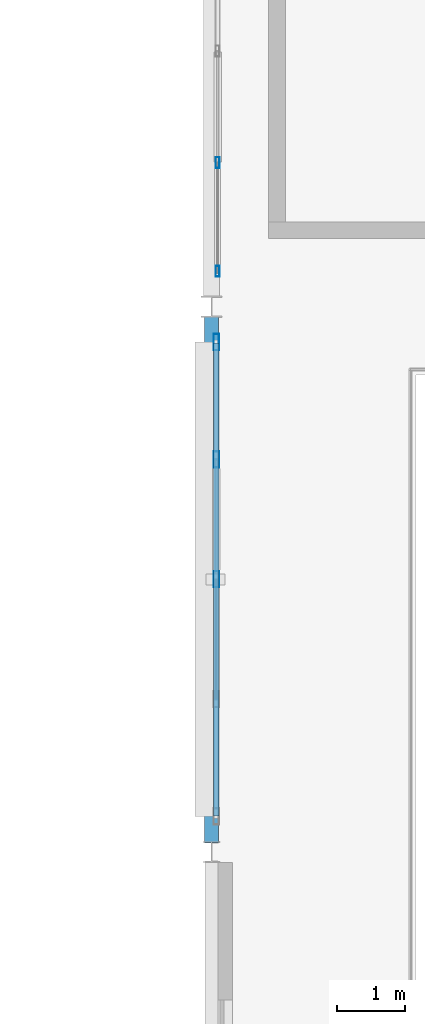
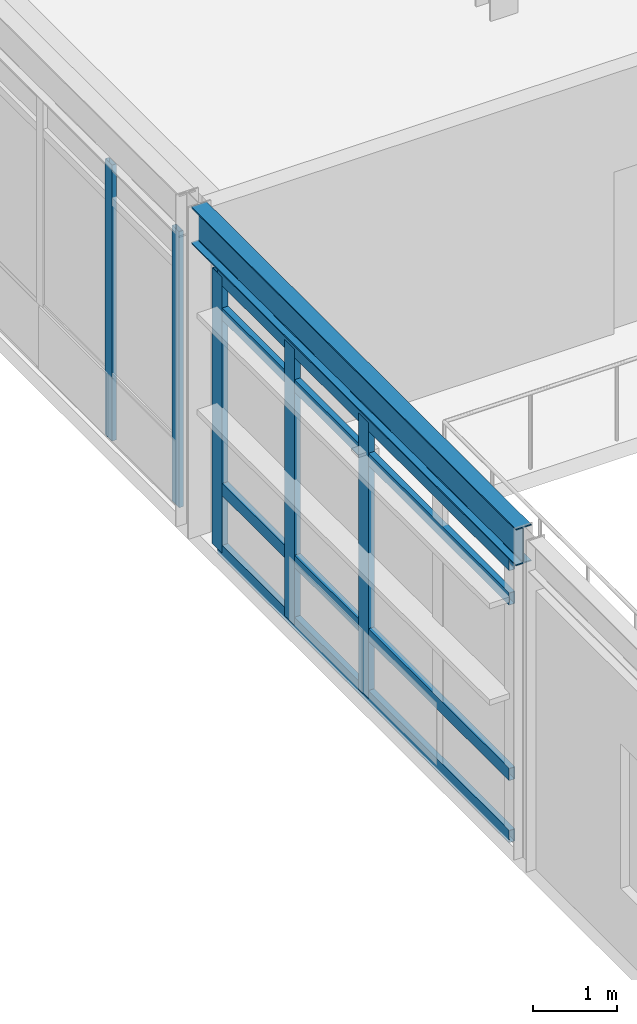
# One storey, part 25 of 56: 9 members, 1 beam, 2 elements without a shape of their own.
"""IFC4 building model written with IfcOpenShell, lengths in metres."""

from ifc_helpers import new_model, si_unit, direction, frame, origin, origin_2d, place, context, subcontext, project, spatial, hollow_rectangle, i_section, extrude, material, material_profile, profile_set, type_object, element, aggregate, save


model = new_model("IFC4")

# Units and contexts
model_context = context("Model", 3, precision=1e-05, world=origin(), true_north=direction((0.0, 1.0)))
body_context = subcontext(model_context, "Body", "Model", "MODEL_VIEW")
ifc_project = project(units=[si_unit("LENGTHUNIT", "METRE"), si_unit("AREAUNIT", "SQUARE_METRE"), si_unit("VOLUMEUNIT", "CUBIC_METRE"), si_unit("PLANEANGLEUNIT", "RADIAN"), si_unit("MASSUNIT", "GRAM", prefix="KILO"), si_unit("THERMODYNAMICTEMPERATUREUNIT", "KELVIN"), si_unit("POWERUNIT", "WATT")], contexts=[model_context])

# Site, building, storey
site_placement = place(None, origin())
site = spatial("IfcSite", under=ifc_project, at=site_placement, CompositionType="ELEMENT")
building_placement = place(site_placement, origin())
building = spatial("IfcBuilding", under=site, at=building_placement, Name="Tepalcoro Natatorium and Aquatics Centre", CompositionType="ELEMENT")
storey_placement = place(building_placement, frame((0.0, 0.0, 14.800048828125)))
storey = spatial("IfcBuildingStorey", under=building, at=storey_placement, Name="L03", CompositionType="ELEMENT", Elevation=14.800048828125)

# Curtain wall, members
ifc_material_1 = material(Name="Bronze-Anodised Extruded Aluminium Alloy EN AW-6063 T6", Category="aluminium")
curtain_wall_type_1 = type_object("IfcCurtainWallType", Name="CW_V1_PLINTH", PredefinedType="USERDEFINED", material=ifc_material_1)
curtain_wall_1_placement = place(storey_placement, origin())
curtain_wall_1 = element("IfcCurtainWall", 1, at=curtain_wall_1_placement, inside=storey, type_object=curtain_wall_type_1, Name="V2 L03 W Unitised Curtain Wall Bay 6", ObjectType="UNITISED STOREFRONT", PredefinedType="USERDEFINED")
ifc_material_profile_1 = material_profile(ifc_material_1, hollow_rectangle(XDim=0.06005859375, YDim=0.159912109375, WallThickness=0.00390625, at=origin_2d()), Name="AL60X160X4")
ifc_profile_set_1 = profile_set([ifc_material_profile_1], Name="Bronze-Anodised Extruded Aluminium Alloy EN AW-6063 T6")
member_type_1 = type_object("IfcMemberType", Name="CW_MUL_60x160", PredefinedType="MULLION", material=ifc_profile_set_1)
member_1_placement = place(storey_placement, frame((142.090087890625, 44.52001953125, 0.02001953125), z_axis=(0.0, 0.0, 1.0), x_axis=(1.0, 0.0, 0.0)))
member_1 = element("IfcMember", 2, at=member_1_placement, type_object=member_type_1, Name="CW_V1_PLINTH Curtain Wall Mullion", PredefinedType="MULLION", context=body_context, shape_type="SweptSolid", body=[
    extrude(hollow_rectangle(XDim=0.06005859375, YDim=0.159912109375, WallThickness=0.00390625, at=origin_2d()), origin(), (0.0, 0.0, 1.0), 4.010009765625),
])
member_2_placement = place(storey_placement, frame((142.090087890625, 46.114990234375, 0.02001953125), z_axis=(0.0, 0.0, 1.0), x_axis=(1.0, 0.0, 0.0)))
member_2 = element("IfcMember", 3, at=member_2_placement, type_object=member_type_1, Name="CW_V1_PLINTH Curtain Wall Mullion", PredefinedType="MULLION", context=body_context, shape_type="SweptSolid", body=[
    extrude(hollow_rectangle(XDim=0.06005859375, YDim=0.159912109375, WallThickness=0.00390625, at=origin_2d()), origin(), (0.0, 0.0, 1.0), 4.010009765625),
])
aggregate(curtain_wall_1, [member_1, member_2])

curtain_wall_type_2 = type_object("IfcCurtainWallType", Name="CW_LEAN_T2_EW", PredefinedType="USERDEFINED", material=ifc_material_1)
curtain_wall_2_placement = place(storey_placement, origin())
curtain_wall_2 = element("IfcCurtainWall", 4, at=curtain_wall_2_placement, inside=storey, type_object=curtain_wall_type_2, Name="V2 L03 W Unitised Curtain Wall Bay 5", ObjectType="FACETED SOLAR GLAZING", PredefinedType="USERDEFINED")
ifc_material_profile_2 = material_profile(ifc_material_1, hollow_rectangle(XDim=0.080078125, YDim=0.239990234375, WallThickness=0.0048828125, at=origin_2d()), Name="AL80X240X5")
ifc_profile_set_2 = profile_set([ifc_material_profile_2], Name="Bronze-Anodised Extruded Aluminium Alloy EN AW-6063 T6")
member_type_2 = type_object("IfcMemberType", Name="CW_MUL_80x240", PredefinedType="MULLION", material=ifc_profile_set_2)
member_3_placement = place(storey_placement, frame((142.0712890625, 40.0, 0.02001953125), z_axis=(0.0, 0.0, 1.0), x_axis=(1.0, 0.0, 0.0)))
member_3 = element("IfcMember", 5, at=member_3_placement, type_object=member_type_2, Name="CW_LEAN_T2_EW Curtain Wall Mullion", PredefinedType="MULLION", context=body_context, shape_type="SweptSolid", body=[
    extrude(hollow_rectangle(XDim=0.080078125, YDim=0.239990234375, WallThickness=0.0048828125, at=origin_2d()), origin(), (0.0, 0.0, 1.0), 4.010009765625),
])
member_4_placement = place(storey_placement, frame((142.0712890625, 41.760009765625, 0.02001953125), z_axis=(0.0, 0.0, 1.0), x_axis=(1.0, 0.0, 0.0)))
member_4 = element("IfcMember", 6, at=member_4_placement, type_object=member_type_2, Name="CW_LEAN_T2_EW Curtain Wall Mullion", PredefinedType="MULLION", context=body_context, shape_type="SweptSolid", body=[
    extrude(hollow_rectangle(XDim=0.080078125, YDim=0.239990234375, WallThickness=0.0048828125, at=origin_2d()), origin(), (0.0, 0.0, 1.0), 4.010009765625),
])
member_5_placement = place(storey_placement, frame((142.0712890625, 43.47998046875, 0.02001953125), z_axis=(0.0, 0.0, 1.0), x_axis=(1.0, 0.0, 0.0)))
member_5 = element("IfcMember", 7, at=member_5_placement, type_object=member_type_2, Name="CW_LEAN_T2_EW Curtain Wall Mullion", PredefinedType="MULLION", context=body_context, shape_type="SweptSolid", body=[
    extrude(hollow_rectangle(XDim=0.080078125, YDim=0.239990234375, WallThickness=0.0048828125, at=origin_2d()), origin(), (0.0, 0.0, 1.0), 4.010009765625),
])
ifc_material_profile_3 = material_profile(ifc_material_1, hollow_rectangle(XDim=0.080078125, YDim=0.179931640625, WallThickness=0.0048828125, at=origin_2d()), Name="AL80X180X5")
ifc_profile_set_3 = profile_set([ifc_material_profile_3], Name="Bronze-Anodised Extruded Aluminium Alloy EN AW-6063 T6")
member_type_3 = type_object("IfcMemberType", Name="CW_TRN_80x180", PredefinedType="USERDEFINED", material=ifc_profile_set_3)
member_6_placement = place(storey_placement, frame((142.0712890625, 36.530029296875, 0.050048828125), z_axis=(0.0, 1.0, 0.0), x_axis=(-1.0, 0.0, 0.0)))
member_6 = element("IfcMember", 8, at=member_6_placement, type_object=member_type_3, Name="CW_LEAN_T2_EW Curtain Wall Transom", ObjectType="TRANSOM", PredefinedType="USERDEFINED", context=body_context, shape_type="SweptSolid", body=[
    extrude(hollow_rectangle(XDim=0.080078125, YDim=0.179931640625, WallThickness=0.0048828125, at=origin_2d()), origin(), (0.0, 0.0, 1.0), 6.93994140625),
])
member_7_placement = place(storey_placement, frame((142.0712890625, 36.530029296875, 0.949951171875), z_axis=(0.0, 1.0, 0.0), x_axis=(-1.0, 0.0, 0.0)))
member_7 = element("IfcMember", 9, at=member_7_placement, type_object=member_type_3, Name="CW_LEAN_T2_EW Curtain Wall Transom", ObjectType="TRANSOM", PredefinedType="USERDEFINED", context=body_context, shape_type="SweptSolid", body=[
    extrude(hollow_rectangle(XDim=0.080078125, YDim=0.179931640625, WallThickness=0.0048828125, at=origin_2d()), origin(), (0.0, 0.0, 1.0), 6.93994140625),
])
member_8_placement = place(storey_placement, frame((142.0712890625, 36.530029296875, 3.5), z_axis=(0.0, 1.0, 0.0), x_axis=(-1.0, 0.0, 0.0)))
member_8 = element("IfcMember", 10, at=member_8_placement, type_object=member_type_3, Name="CW_LEAN_T2_EW Curtain Wall Transom", ObjectType="TRANSOM", PredefinedType="USERDEFINED", context=body_context, shape_type="SweptSolid", body=[
    extrude(hollow_rectangle(XDim=0.080078125, YDim=0.179931640625, WallThickness=0.0048828125, at=origin_2d()), origin(), (0.0, 0.0, 1.0), 6.93994140625),
])
member_9_placement = place(storey_placement, frame((142.0712890625, 36.530029296875, 4.0), z_axis=(0.0, 1.0, 0.0), x_axis=(-1.0, 0.0, 0.0)))
member_9 = element("IfcMember", 11, at=member_9_placement, type_object=member_type_3, Name="CW_LEAN_T2_EW Curtain Wall Transom", ObjectType="TRANSOM", PredefinedType="USERDEFINED", context=body_context, shape_type="SweptSolid", body=[
    extrude(hollow_rectangle(XDim=0.080078125, YDim=0.179931640625, WallThickness=0.0048828125, at=origin_2d()), origin(), (0.0, 0.0, 1.0), 6.93994140625),
])
aggregate(curtain_wall_2, [member_3, member_4, member_5, member_6, member_7, member_8, member_9])

# Beam
ifc_material_2 = material(Name="Steel ASTM A992 Grade 50 (Fy 345 MPa)", Category="steel")
ifc_material_profile_4 = material_profile(ifc_material_2, i_section(OverallWidth=0.2099609375, OverallDepth=0.535888671875, WebThickness=0.010986328125, FlangeThickness=0.01708984375, FilletRadius=0.013916015625, at=origin_2d()), Name="W21X68")
ifc_profile_set_4 = profile_set([ifc_material_profile_4], Name="Steel ASTM A992 Grade 50 (Fy 345 MPa)")
beam_type = type_object("IfcBeamType", Name="SP_W21x68", PredefinedType="SPANDREL", material=ifc_profile_set_4)
beam_placement = place(storey_placement, frame((142.0, 36.132568359375, 4.536865234375), z_axis=(0.0, 1.0, 0.0), x_axis=(-1.0, 0.0, 0.0)))
element("IfcBeam", 12, at=beam_placement, inside=storey, type_object=beam_type, Name="V2 L03 Grid Girder Y", PredefinedType="SPANDREL", context=body_context, shape_type="SweptSolid", body=[
    extrude(i_section(OverallWidth=0.2099609375, OverallDepth=0.535888671875, WebThickness=0.010986328125, FlangeThickness=0.01708984375, FilletRadius=0.013916015625, at=origin_2d()), origin(), (0.0, 0.0, 1.0), 7.73095703125),
])

save(model, "model.ifc")
